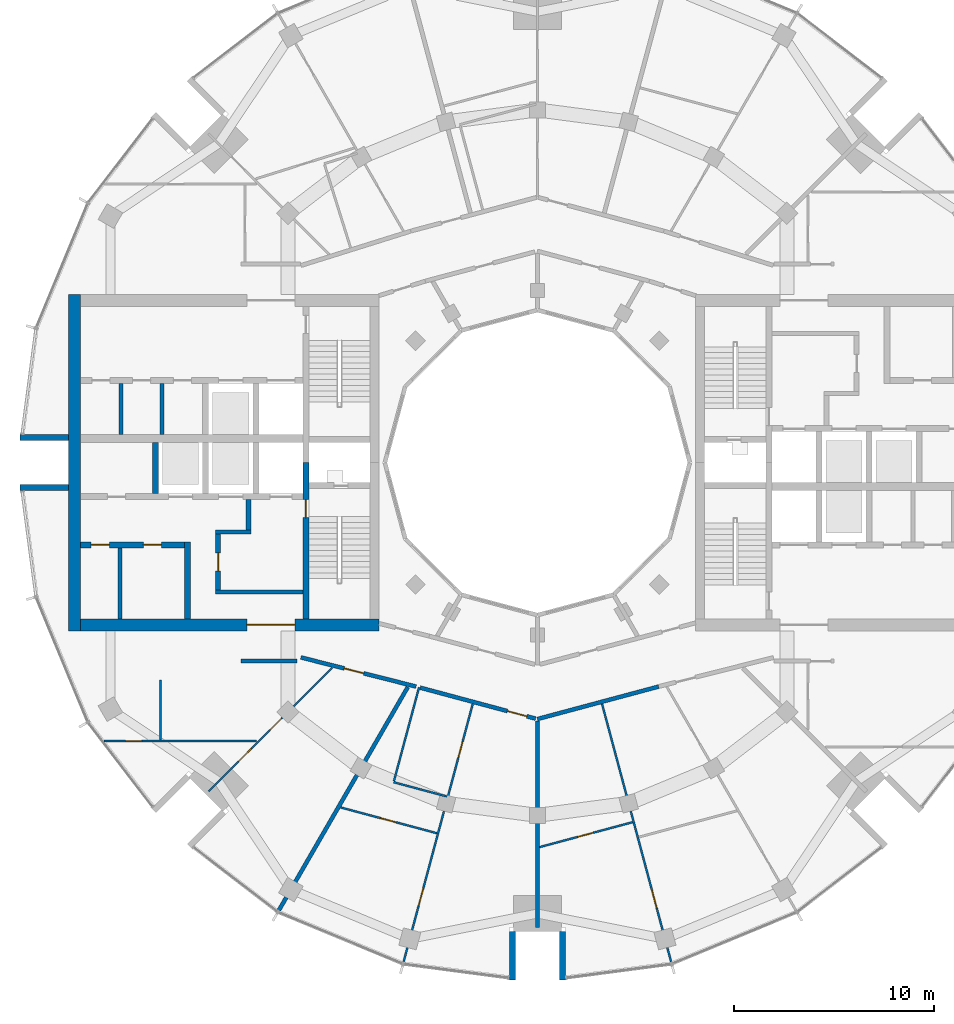
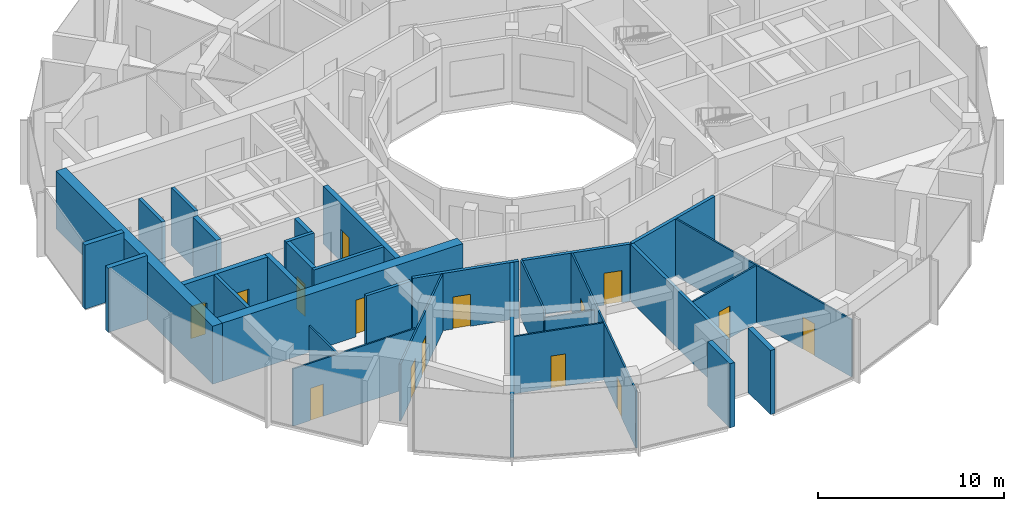
# One storey, part 8 of 15: 32 walls, 15 doors, 15 openings.
"""IFC4 building model written with IfcOpenShell, lengths in metres."""

from ifc_helpers import new_model, si_unit, direction, frame, frame_2d, origin, place, context, subcontext, project, spatial, rectangle, extrude, material, layer, layer_set, type_object, element, fill, save


model = new_model("IFC4")

# Units and contexts
model_context = context("Model", 3, precision=1e-05, world=origin(), true_north=direction((0.0, 1.0)))
body_context = subcontext(model_context, "Body", "Model", "MODEL_VIEW")
ifc_project = project(units=[si_unit("LENGTHUNIT", "METRE"), si_unit("AREAUNIT", "SQUARE_METRE"), si_unit("VOLUMEUNIT", "CUBIC_METRE"), si_unit("PLANEANGLEUNIT", "RADIAN"), si_unit("MASSUNIT", "GRAM", prefix="KILO")], contexts=[model_context])

# Site, building, storey
site_placement = place(None, origin())
site = spatial("IfcSite", under=ifc_project, at=site_placement, CompositionType="ELEMENT")
building_placement = place(site_placement, origin())
building = spatial("IfcBuilding", under=site, at=building_placement, Name="Torre Brocal", CompositionType="ELEMENT")
storey_placement = place(building_placement, frame((0.0, 0.0, 225.10009765625)))
storey = spatial("IfcBuildingStorey", under=building, at=storey_placement, Name="L52", CompositionType="ELEMENT", Elevation=225.10009765625)

# Walls
ifc_material_1 = material(Name="Masonry block", Category="masonry")
ifc_layer_1 = layer(ifc_material_1, 0.199951171875)
ifc_layer_set_1 = layer_set([ifc_layer_1], Name="Masonry block")
wall_type_1 = type_object("IfcWallType", Name="CORE PARTITION 200 UNDER 400 SLAB", PredefinedType="PARTITIONING", material=ifc_layer_set_1)
for number, where, z_axis, x_axis, name in (
    (1, (61.2666015625, 78.949951171875, 0.0), (0.0, 0.0, 1.0), (0.0, -1.0, 0.0), "Wall CP200-S400"),
    (2, (59.2333984375, 78.949951171875, 0.0), (0.0, 0.0, 1.0), (0.0, -1.0, 0.0), "Wall CP200-S400"),
):
    element("IfcWall", number, at=place(storey_placement, frame(where, z_axis=z_axis, x_axis=x_axis)), inside=storey, type_object=wall_type_1, Name=name, PredefinedType="PARTITIONING", context=body_context, shape_type="SweptSolid", body=[
        extrude(rectangle(XDim=2.550048828125, YDim=0.199951171875, at=frame_2d((1.27490234375, 0.0))), origin(), (0.0, 0.0, 1.0), 3.7998046875),
    ])
wall_1_placement = place(storey_placement, frame((59.176025390625, 70.75, 0.0), z_axis=(0.0, 0.0, 1.0), x_axis=(0.0, -1.0, 0.0)))
element("IfcWall", 3, at=wall_1_placement, inside=storey, type_object=wall_type_1, Name="Wall CP200-S400", PredefinedType="PARTITIONING", context=body_context, shape_type="SweptSolid", body=[
    extrude(rectangle(XDim=3.550048828125, YDim=0.199951171875, at=frame_2d((1.77490234375, 0.0))), origin(), (0.0, 0.0, 1.0), 3.7998046875),
])
ifc_material_2 = material(Name="Concrete C60", Category="concrete")
ifc_layer_2 = layer(ifc_material_2, 0.199951171875)
ifc_layer_set_2 = layer_set([ifc_layer_2], Name="Concrete C60")
wall_type_2 = type_object("IfcWallType", Name="CORE WALL 200 C60 UNDER 400 SLAB", PredefinedType="SHEAR", material=ifc_layer_set_2)
wall_2_placement = place(storey_placement, frame((68.300048828125, 68.550048828125, 0.0), z_axis=(0.0, 0.0, 1.0), x_axis=(-1.0, 0.0, 0.0)))
element("IfcWall", 4, at=wall_2_placement, inside=storey, type_object=wall_type_2, Name="Wall CW200-60-S400", PredefinedType="SHEAR", context=body_context, shape_type="SweptSolid", body=[
    extrude(rectangle(XDim=4.35009765625, YDim=0.199951171875, at=frame_2d((2.175048828125, 0.0))), origin(), (0.0, 0.0, 1.0), 3.7998046875),
])
wall_3_placement = place(storey_placement, frame((65.699951171875, 71.550048828125, 0.0), z_axis=(0.0, 0.0, 1.0), x_axis=(-1.0, 0.0, 0.0)))
element("IfcWall", 5, at=wall_3_placement, inside=storey, type_object=wall_type_2, Name="Wall CW200-60-S400", PredefinedType="SHEAR", context=body_context, shape_type="SweptSolid", body=[
    extrude(rectangle(XDim=1.75, YDim=0.199951171875, at=frame_2d((0.875, 0.0))), origin(), (0.0, 0.0, 1.0), 3.7998046875),
])

# Wall, opening, door
ifc_material_3 = material(Name="Concrete C60", Category="concrete")
ifc_layer_3 = layer(ifc_material_3, 0.25)
ifc_layer_set_3 = layer_set([ifc_layer_3], Name="Concrete C60")
wall_type_3 = type_object("IfcWallType", Name="CORE WALL 250 C60 UNDER 400 SLAB", PredefinedType="SHEAR", material=ifc_layer_set_3)
wall_4_placement = place(storey_placement, frame((64.074951171875, 71.449951171875, 0.0), z_axis=(0.0, 0.0, 1.0), x_axis=(0.0, -1.0, 0.0)))
wall_4 = element("IfcWall", 6, at=wall_4_placement, inside=storey, type_object=wall_type_3, Name="Wall CW250-60-S400", PredefinedType="SHEAR", context=body_context, shape_type="SweptSolid", body=[
    extrude(rectangle(XDim=2.800048828125, YDim=0.25, at=frame_2d((1.39990234375, 0.0))), origin(), (0.0, 0.0, 1.0), 3.7998046875),
])
opening_1_placement = place(wall_4_placement, frame((0.949951171875, 0.0, 0.0)))
opening_1 = element("IfcOpeningElement", 7, at=opening_1_placement, cuts=wall_4, Name="Opening W-D08", PredefinedType="OPENING", context=body_context, shape_type="SweptSolid", body=[
    extrude(rectangle(XDim=0.89990234375, YDim=2.10009765625, at=frame_2d((0.449951171875, 1.050048828125))), frame((0.0, 0.135009765625, 0.0), z_axis=(0.0, -1.0, 0.0), x_axis=(1.0, 0.0, 0.0)), (0.0, 0.0, 1.0), 0.27001953125),
])
ifc_material_4 = material(Name="Steel A653", Category="steel")
door_type_1 = type_object("IfcDoorType", Name="LOBBY DOOR FD120 900X2100", OperationType="SINGLE_SWING_RIGHT", PredefinedType="DOOR", material=ifc_material_4)
door_1_placement = place(opening_1_placement, origin())
door_1 = element("IfcDoor", 8, at=door_1_placement, inside=storey, type_object=door_type_1, Name="Door W-D08", OperationType="SINGLE_SWING_LEFT", OverallHeight=2.10009765625, OverallWidth=0.89990234375, PredefinedType="DOOR", context=body_context, shape_type="SweptSolid", body=[
    extrude(rectangle(XDim=0.89990234375, YDim=2.10009765625, at=frame_2d((0.449951171875, 1.050048828125))), frame((0.0, 0.02490234375, 0.0), z_axis=(0.0, -1.0, 0.0), x_axis=(1.0, 0.0, 0.0)), (0.0, 0.0, 1.0), 0.050048828125),
])
fill(opening_1, door_1)

# Wall
wall_5_placement = place(storey_placement, frame((65.574951171875, 73.14990234375, 0.0), z_axis=(0.0, 0.0, 1.0), x_axis=(0.0, -1.0, 0.0)))
element("IfcWall", 9, at=wall_5_placement, inside=storey, type_object=wall_type_3, Name="Wall CW250-60-S400", PredefinedType="SHEAR", context=body_context, shape_type="SweptSolid", body=[
    extrude(rectangle(XDim=1.5, YDim=0.25, at=frame_2d((0.75, 0.0))), origin(), (0.0, 0.0, 1.0), 3.7998046875),
])

# Wall, opening, door
ifc_material_5 = material(Name="Concrete C60", Category="concrete")
ifc_layer_4 = layer(ifc_material_5, 0.300048828125)
ifc_layer_set_4 = layer_set([ifc_layer_4], Name="Concrete C60")
wall_type_4 = type_object("IfcWallType", Name="CORE WALL 300 C60 UNDER 400 SLAB", PredefinedType="SHEAR", material=ifc_layer_set_4)
wall_6_placement = place(storey_placement, frame((68.449951171875, 75.0, 0.0), z_axis=(0.0, 0.0, 1.0), x_axis=(0.0, -1.0, 0.0)))
wall_6 = element("IfcWall", 10, at=wall_6_placement, inside=storey, type_object=wall_type_4, Name="Wall CW300-60-S400", PredefinedType="SHEAR", context=body_context, shape_type="SweptSolid", body=[
    extrude(rectangle(XDim=7.800048828125, YDim=0.300048828125, at=frame_2d((3.89990234375, 0.0))), origin(), (0.0, 0.0, 1.0), 3.7998046875),
])
opening_2_placement = place(wall_6_placement, frame((1.85009765625, 0.0, 0.0)))
opening_2 = element("IfcOpeningElement", 11, at=opening_2_placement, cuts=wall_6, Name="Opening W-D02", PredefinedType="OPENING", context=body_context, shape_type="SweptSolid", body=[
    extrude(rectangle(XDim=0.89990234375, YDim=2.10009765625, at=frame_2d((0.449951171875, 1.050048828125))), frame((0.0, 0.159912109375, 0.0), z_axis=(0.0, -1.0, 0.0), x_axis=(1.0, 0.0, 0.0)), (0.0, 0.0, 1.0), 0.320068359375),
])
ifc_material_6 = material(Name="Steel A653", Category="steel")
door_type_2 = type_object("IfcDoorType", Name="STAIR DOOR FD120 900X2100", OperationType="SINGLE_SWING_RIGHT", PredefinedType="DOOR", material=ifc_material_6)
door_2_placement = place(opening_2_placement, origin())
door_2 = element("IfcDoor", 12, at=door_2_placement, inside=storey, type_object=door_type_2, Name="Door W-D02", OperationType="SINGLE_SWING_LEFT", OverallHeight=2.10009765625, OverallWidth=0.89990234375, PredefinedType="DOOR", context=body_context, shape_type="SweptSolid", body=[
    extrude(rectangle(XDim=0.89990234375, YDim=2.10009765625, at=frame_2d((0.449951171875, 1.050048828125))), frame((0.0, 0.02490234375, 0.0), z_axis=(0.0, -1.0, 0.0), x_axis=(1.0, 0.0, 0.0)), (0.0, 0.0, 1.0), 0.050048828125),
])
fill(opening_2, door_2)

# Walls
wall_7_placement = place(storey_placement, frame((60.949951171875, 76.0, 0.0), z_axis=(0.0, 0.0, 1.0), x_axis=(0.0, -1.0, 0.0)))
element("IfcWall", 13, at=wall_7_placement, inside=storey, type_object=wall_type_4, Name="Wall CW300-60-S400", PredefinedType="SHEAR", context=body_context, shape_type="SweptSolid", body=[
    extrude(rectangle(XDim=2.550048828125, YDim=0.300048828125, at=frame_2d((1.27490234375, 0.0))), origin(), (0.0, 0.0, 1.0), 3.7998046875),
])
wall_8_placement = place(storey_placement, frame((62.550048828125, 71.050048828125, 0.0), z_axis=(0.0, 0.0, 1.0), x_axis=(0.0, -1.0, 0.0)))
element("IfcWall", 14, at=wall_8_placement, inside=storey, type_object=wall_type_4, Name="Wall CW300-60-S400", PredefinedType="SHEAR", context=body_context, shape_type="SweptSolid", body=[
    extrude(rectangle(XDim=3.85009765625, YDim=0.300048828125, at=frame_2d((1.925048828125, 0.0))), origin(), (0.0, 0.0, 1.0), 3.7998046875),
])

# Wall, openings, doors
wall_9_placement = place(storey_placement, frame((62.39990234375, 70.89990234375, 0.0), z_axis=(0.0, 0.0, 1.0), x_axis=(-1.0, 0.0, 0.0)))
wall_9 = element("IfcWall", 15, at=wall_9_placement, inside=storey, type_object=wall_type_4, Name="Wall CW300-60-S400", PredefinedType="SHEAR", context=body_context, shape_type="SweptSolid", body=[
    extrude(rectangle(XDim=5.199951171875, YDim=0.300048828125, at=frame_2d((2.60009765625, 0.0))), origin(), (0.0, 0.0, 1.0), 3.7998046875),
])
opening_3_placement = place(wall_9_placement, frame((1.162109375, 0.0, 0.0)))
opening_3 = element("IfcOpeningElement", 16, at=opening_3_placement, cuts=wall_9, Name="Opening W-D09", PredefinedType="OPENING", context=body_context, shape_type="SweptSolid", body=[
    extrude(rectangle(XDim=0.89990234375, YDim=2.10009765625, at=frame_2d((0.449951171875, 1.050048828125))), frame((0.0, 0.159912109375, 0.0), z_axis=(0.0, -1.0, 0.0), x_axis=(1.0, 0.0, 0.0)), (0.0, 0.0, 1.0), 0.320068359375),
])
opening_4_placement = place(wall_9_placement, frame((3.761962890625, 0.0, 0.0)))
opening_4 = element("IfcOpeningElement", 17, at=opening_4_placement, cuts=wall_9, Name="Opening W-D10", PredefinedType="OPENING", context=body_context, shape_type="SweptSolid", body=[
    extrude(rectangle(XDim=0.89990234375, YDim=2.10009765625, at=frame_2d((0.449951171875, 1.050048828125))), frame((0.0, 0.159912109375, 0.0), z_axis=(0.0, -1.0, 0.0), x_axis=(1.0, 0.0, 0.0)), (0.0, 0.0, 1.0), 0.320068359375),
])
ifc_material_7 = material(Name="Steel A653", Category="steel")
door_type_3 = type_object("IfcDoorType", Name="ROOM DOOR FD30S 900X2100", OperationType="SINGLE_SWING_LEFT", PredefinedType="DOOR", material=ifc_material_7)
door_3_placement = place(opening_3_placement, origin())
door_3 = element("IfcDoor", 18, at=door_3_placement, inside=storey, type_object=door_type_3, Name="Door W-D09", OperationType="SINGLE_SWING_RIGHT", OverallHeight=2.10009765625, OverallWidth=0.89990234375, PredefinedType="DOOR", context=body_context, shape_type="SweptSolid", body=[
    extrude(rectangle(XDim=0.89990234375, YDim=2.10009765625, at=frame_2d((0.449951171875, 1.050048828125))), frame((0.0, 0.02490234375, 0.0), z_axis=(0.0, -1.0, 0.0), x_axis=(1.0, 0.0, 0.0)), (0.0, 0.0, 1.0), 0.050048828125),
])
fill(opening_3, door_3)
door_4_placement = place(opening_4_placement, origin())
door_4 = element("IfcDoor", 19, at=door_4_placement, inside=storey, type_object=door_type_3, Name="Door W-D10", OperationType="SINGLE_SWING_LEFT", OverallHeight=2.10009765625, OverallWidth=0.89990234375, PredefinedType="DOOR", context=body_context, shape_type="SweptSolid", body=[
    extrude(rectangle(XDim=0.89990234375, YDim=2.10009765625, at=frame_2d((0.449951171875, 1.050048828125))), frame((0.0, 0.02490234375, 0.0), z_axis=(0.0, -1.0, 0.0), x_axis=(1.0, 0.0, 0.0)), (0.0, 0.0, 1.0), 0.050048828125),
])
fill(opening_4, door_4)

# Wall, opening, door
ifc_material_8 = material(Name="Concrete C60", Category="concrete")
ifc_layer_5 = layer(ifc_material_8, 0.60009765625)
ifc_layer_set_5 = layer_set([ifc_layer_5], Name="Concrete C60")
wall_type_5 = type_object("IfcWallType", Name="CORE WALL 600 C60 UNDER 400 SLAB", PredefinedType="SHEAR", material=ifc_layer_set_5)
wall_10_placement = place(storey_placement, frame((72.10009765625, 66.89990234375, 0.0), z_axis=(0.0, 0.0, 1.0), x_axis=(-1.0, 0.0, 0.0)))
wall_10 = element("IfcWall", 20, at=wall_10_placement, inside=storey, type_object=wall_type_5, Name="Wall CW600-60-S400", PredefinedType="SHEAR", context=body_context, shape_type="SweptSolid", body=[
    extrude(rectangle(XDim=14.900146484375, YDim=0.60009765625, at=frame_2d((7.4501953125, 0.0))), origin(), (0.0, 0.0, 1.0), 3.7998046875),
])
opening_5_placement = place(wall_10_placement, frame((4.199951171875, 0.0, 0.0)))
opening_5 = element("IfcOpeningElement", 21, at=opening_5_placement, cuts=wall_10, Name="Opening W-D34", PredefinedType="OPENING", context=body_context, shape_type="SweptSolid", body=[
    extrude(rectangle(XDim=2.39990234375, YDim=2.39990234375, at=frame_2d((1.199951171875, 1.199951171875))), frame((0.0, 0.31005859375, 0.0), z_axis=(0.0, -1.0, 0.0), x_axis=(1.0, 0.0, 0.0)), (0.0, 0.0, 1.0), 0.6201171875),
])
ifc_material_9 = material(Name="Steel A653", Category="steel")
door_type_4 = type_object("IfcDoorType", Name="DOUBLE FIRE DOOR FD90 2400X2400", OperationType="DOUBLE_DOOR_SINGLE_SWING", PredefinedType="DOOR", material=ifc_material_9)
door_5_placement = place(opening_5_placement, frame((2.39990234375, 0.0, 0.0), z_axis=(0.0, 0.0, 1.0), x_axis=(-1.0, 0.0, 0.0)))
door_5 = element("IfcDoor", 22, at=door_5_placement, inside=storey, type_object=door_type_4, Name="Door W-D34", OperationType="DOUBLE_DOOR_SINGLE_SWING", OverallHeight=2.39990234375, OverallWidth=2.39990234375, PredefinedType="DOOR", context=body_context, shape_type="SweptSolid", body=[
    extrude(rectangle(XDim=2.39990234375, YDim=2.39990234375, at=frame_2d((1.199951171875, 1.199951171875))), frame((0.0, 0.02490234375, 0.0), z_axis=(0.0, -1.0, 0.0), x_axis=(1.0, 0.0, 0.0)), (0.0, 0.0, 1.0), 0.050048828125),
])
fill(opening_5, door_5)

# Walls
wall_11_placement = place(storey_placement, frame((56.89990234375, 83.39990234375, 0.0), z_axis=(0.0, 0.0, 1.0), x_axis=(0.0, -1.0, 0.0)))
element("IfcWall", 23, at=wall_11_placement, inside=storey, type_object=wall_type_5, Name="Wall CW600-60-S400", PredefinedType="SHEAR", context=body_context, shape_type="SweptSolid", body=[
    extrude(rectangle(XDim=16.7998046875, YDim=0.60009765625, at=frame_2d((8.39990234375, 0.0))), origin(), (0.0, 0.0, 1.0), 3.7998046875),
])
ifc_material_10 = material(Name="Concrete C60", Category="concrete")
ifc_layer_6 = layer(ifc_material_10, 0.300048828125)
ifc_layer_set_6 = layer_set([ifc_layer_6], Name="Concrete C60")
wall_type_6 = type_object("IfcWallType", Name="NOTCH RETURN WALL 300 C60", PredefinedType="NOTDEFINED", material=ifc_layer_set_6)
for number, where, z_axis, x_axis, name in (
    (24, (56.60009765625, 76.25, 0.0), (0.0, 0.0, 1.0), (-1.0, 0.0, 0.0), "NOTCH RETURN WALL"),
    (25, (56.60009765625, 73.75, 0.0), (0.0, 0.0, 1.0), (-1.0, 0.0, 0.0), "NOTCH RETURN WALL"),
    (26, (78.75, 51.60009765625, 0.0), (0.0, 0.0, 1.0), (0.0, -1.0, 0.0), "NOTCH RETURN WALL"),
    (27, (81.25, 51.60009765625, 0.0), (0.0, 0.0, 1.0), (0.0, -1.0, 0.0), "NOTCH RETURN WALL"),
):
    element("IfcWall", number, at=place(storey_placement, frame(where, z_axis=z_axis, x_axis=x_axis)), inside=storey, type_object=wall_type_6, Name=name, PredefinedType="NOTDEFINED", context=body_context, shape_type="SweptSolid", body=[
        extrude(rectangle(XDim=2.415771484375, YDim=0.300048828125, at=frame_2d((1.2080078125, 0.0))), origin(), (0.0, 0.0, 1.0), 4.199951171875),
    ])

# Wall, opening, door
ifc_material_11 = material(Name="Gypsum board", Category="Gypsum")
ifc_layer_7 = layer(ifc_material_11, 0.10009765625)
ifc_layer_set_7 = layer_set([ifc_layer_7], Name="Gypsum board")
wall_type_7 = type_object("IfcWallType", Name="PARTITION 100", PredefinedType="PARTITIONING", material=ifc_layer_set_7)
wall_12_placement = place(storey_placement, frame((58.37890625, 61.10009765625, 0.0), z_axis=(0.0, 0.0, 1.0), x_axis=(1.0, 0.0, 0.0)))
wall_12 = element("IfcWall", 28, at=wall_12_placement, inside=storey, type_object=wall_type_7, Name="BATHROOM WALL", PredefinedType="PARTITIONING", context=body_context, shape_type="SweptSolid", body=[
    extrude(rectangle(XDim=7.611083984375, YDim=0.10009765625, at=frame_2d((3.8056640625, 0.0))), origin(), (0.0, 0.0, 1.0), 3.75),
])
opening_6_placement = place(wall_12_placement, frame((1.075439453125, 0.0, 0.0)))
opening_6 = element("IfcOpeningElement", 29, at=opening_6_placement, cuts=wall_12, Name="Opening B02-D36", PredefinedType="OPENING", context=body_context, shape_type="SweptSolid", body=[
    extrude(rectangle(XDim=0.800048828125, YDim=2.10009765625, at=frame_2d((0.39990234375, 1.050048828125))), frame((0.0, 0.06005859375, 0.0), z_axis=(0.0, -1.0, 0.0), x_axis=(1.0, 0.0, 0.0)), (0.0, 0.0, 1.0), 0.1201171875),
])
ifc_material_12 = material(Name="Timber", Category="wood")
door_type_5 = type_object("IfcDoorType", Name="BATHROOM DOOR 800X2100", OperationType="SINGLE_SWING_LEFT", PredefinedType="DOOR", material=ifc_material_12)
door_6_placement = place(opening_6_placement, origin())
door_6 = element("IfcDoor", 30, at=door_6_placement, inside=storey, type_object=door_type_5, Name="B02-D36", OperationType="SINGLE_SWING_RIGHT", OverallHeight=2.10009765625, OverallWidth=0.800048828125, PredefinedType="DOOR", context=body_context, shape_type="SweptSolid", body=[
    extrude(rectangle(XDim=0.800048828125, YDim=2.10009765625, at=frame_2d((0.39990234375, 1.050048828125))), frame((0.0, 0.02490234375, 0.0), z_axis=(0.0, -1.0, 0.0), x_axis=(1.0, 0.0, 0.0)), (0.0, 0.0, 1.0), 0.050048828125),
])
fill(opening_6, door_6)

# Wall
wall_13_placement = place(storey_placement, frame((61.199951171875, 61.14990234375, 0.0), z_axis=(0.0, 0.0, 1.0), x_axis=(0.0, 1.0, 0.0)))
element("IfcWall", 31, at=wall_13_placement, inside=storey, type_object=wall_type_7, Name="BATHROOM WALL", PredefinedType="PARTITIONING", context=body_context, shape_type="SweptSolid", body=[
    extrude(rectangle(XDim=2.9951171875, YDim=0.10009765625, at=frame_2d((1.49755859375, 0.0))), origin(), (0.0, 0.0, 1.0), 3.75),
])

# Wall, openings, doors
wall_14_placement = place(storey_placement, frame((63.595703125, 58.595703125, 0.0), z_axis=(0.0, 0.0, 1.0), x_axis=(0.707106781187, 0.707106781187, 0.0)))
wall_14 = element("IfcWall", 32, at=wall_14_placement, inside=storey, type_object=wall_type_7, Name="BATHROOM WALL", PredefinedType="PARTITIONING", context=body_context, shape_type="SweptSolid", body=[
    extrude(rectangle(XDim=8.718994140625, YDim=0.10009765625, at=frame_2d((4.359375, 0.0))), origin(), (0.0, 0.0, 1.0), 3.75),
])
opening_7_placement = place(wall_14_placement, frame((2.11083984375, 0.0, 0.0)))
opening_7 = element("IfcOpeningElement", 33, at=opening_7_placement, cuts=wall_14, Name="Opening B02-D35", PredefinedType="OPENING", context=body_context, shape_type="SweptSolid", body=[
    extrude(rectangle(XDim=0.89990234375, YDim=2.10009765625, at=frame_2d((0.449951171875, 1.050048828125))), frame((0.0, 0.06005859375, 0.0), z_axis=(0.0, -1.0, 0.0), x_axis=(1.0, 0.0, 0.0)), (0.0, 0.0, 1.0), 0.1201171875),
])
opening_8_placement = place(wall_14_placement, frame((4.335205078125, 0.0, 0.0)))
opening_8 = element("IfcOpeningElement", 34, at=opening_8_placement, cuts=wall_14, Name="Opening B02-D37", PredefinedType="OPENING", context=body_context, shape_type="SweptSolid", body=[
    extrude(rectangle(XDim=0.800048828125, YDim=2.10009765625, at=frame_2d((0.39990234375, 1.050048828125))), frame((0.0, 0.06005859375, 0.0), z_axis=(0.0, -1.0, 0.0), x_axis=(1.0, 0.0, 0.0)), (0.0, 0.0, 1.0), 0.1201171875),
])
door_7_placement = place(opening_8_placement, origin())
door_7 = element("IfcDoor", 35, at=door_7_placement, inside=storey, type_object=door_type_5, Name="B02-D37", OperationType="SINGLE_SWING_LEFT", OverallHeight=2.10009765625, OverallWidth=0.800048828125, PredefinedType="DOOR", context=body_context, shape_type="SweptSolid", body=[
    extrude(rectangle(XDim=0.800048828125, YDim=2.10009765625, at=frame_2d((0.39990234375, 1.050048828125))), frame((0.0, 0.02490234375, 0.0), z_axis=(0.0, -1.0, 0.0), x_axis=(1.0, 0.0, 0.0)), (0.0, 0.0, 1.0), 0.050048828125),
])
fill(opening_8, door_7)
ifc_material_13 = material(Name="Timber", Category="wood")
door_type_6 = type_object("IfcDoorType", Name="ROOM DOOR 900X2100", OperationType="SINGLE_SWING_LEFT", PredefinedType="DOOR", material=ifc_material_13)
door_8_placement = place(opening_7_placement, origin())
door_8 = element("IfcDoor", 36, at=door_8_placement, inside=storey, type_object=door_type_6, Name="B02-D35", OperationType="SINGLE_SWING_LEFT", OverallHeight=2.10009765625, OverallWidth=0.89990234375, PredefinedType="DOOR", context=body_context, shape_type="SweptSolid", body=[
    extrude(rectangle(XDim=0.89990234375, YDim=2.10009765625, at=frame_2d((0.449951171875, 1.050048828125))), frame((0.0, 0.02490234375, 0.0), z_axis=(0.0, -1.0, 0.0), x_axis=(1.0, 0.0, 0.0)), (0.0, 0.0, 1.0), 0.050048828125),
])
fill(opening_7, door_8)

# Wall, opening, door
wall_15_placement = place(storey_placement, frame((70.188232421875, 57.79345703125, 0.0), z_axis=(0.0, 0.0, 1.0), x_axis=(0.965913212633, -0.258866115322, 0.0)))
wall_15 = element("IfcWall", 37, at=wall_15_placement, inside=storey, type_object=wall_type_7, Name="BATHROOM WALL", PredefinedType="PARTITIONING", context=body_context, shape_type="SweptSolid", body=[
    extrude(rectangle(XDim=4.973876953125, YDim=0.10009765625, at=frame_2d((2.48681640625, 0.0))), origin(), (0.0, 0.0, 1.0), 3.75),
])
opening_9_placement = place(wall_15_placement, frame((2.056884765625, 0.0, 0.0)))
opening_9 = element("IfcOpeningElement", 38, at=opening_9_placement, cuts=wall_15, Name="Opening B02-D32", PredefinedType="OPENING", context=body_context, shape_type="SweptSolid", body=[
    extrude(rectangle(XDim=0.800048828125, YDim=2.10009765625, at=frame_2d((0.39990234375, 1.050048828125))), frame((0.0, 0.06005859375, 0.0), z_axis=(0.0, -1.0, 0.0), x_axis=(1.0, 0.0, 0.0)), (0.0, 0.0, 1.0), 0.1201171875),
])
door_9_placement = place(opening_9_placement, origin())
door_9 = element("IfcDoor", 39, at=door_9_placement, inside=storey, type_object=door_type_5, Name="B02-D32", OperationType="SINGLE_SWING_LEFT", OverallHeight=2.10009765625, OverallWidth=0.800048828125, PredefinedType="DOOR", context=body_context, shape_type="SweptSolid", body=[
    extrude(rectangle(XDim=0.800048828125, YDim=2.10009765625, at=frame_2d((0.39990234375, 1.050048828125))), frame((0.0, 0.02490234375, 0.0), z_axis=(0.0, -1.0, 0.0), x_axis=(1.0, 0.0, 0.0)), (0.0, 0.0, 1.0), 0.050048828125),
])
fill(opening_9, door_9)

# Wall
wall_16_placement = place(storey_placement, frame((72.8408203125, 59.101318359375, 0.0), z_axis=(0.0, 0.0, 1.0), x_axis=(0.258799830155, 0.965930974714, 0.0)))
element("IfcWall", 40, at=wall_16_placement, inside=storey, type_object=wall_type_7, Name="BATHROOM WALL", PredefinedType="PARTITIONING", context=body_context, shape_type="SweptSolid", body=[
    extrude(rectangle(XDim=4.849853515625, YDim=0.10009765625, at=frame_2d((2.4248046875, 0.0))), origin(), (0.0, 0.0, 1.0), 3.75),
])

# Wall, openings, doors
wall_17_placement = place(storey_placement, frame((73.322509765625, 50.080810546875, 0.0), z_axis=(0.0, 0.0, 1.0), x_axis=(0.258961147073, 0.965887738977, 0.0)))
wall_17 = element("IfcWall", 41, at=wall_17_placement, inside=storey, type_object=wall_type_7, Name="BATHROOM WALL", PredefinedType="PARTITIONING", context=body_context, shape_type="SweptSolid", body=[
    extrude(rectangle(XDim=13.33837890625, YDim=0.10009765625, at=frame_2d((6.669189453125, 0.0))), origin(), (0.0, 0.0, 1.0), 3.75),
])
opening_10_placement = place(wall_17_placement, frame((2.904296875, 0.0, 0.0)))
opening_10 = element("IfcOpeningElement", 42, at=opening_10_placement, cuts=wall_17, Name="Opening B02-D31", PredefinedType="OPENING", context=body_context, shape_type="SweptSolid", body=[
    extrude(rectangle(XDim=0.89990234375, YDim=2.10009765625, at=frame_2d((0.449951171875, 1.050048828125))), frame((0.0, 0.06005859375, 0.0), z_axis=(0.0, -1.0, 0.0), x_axis=(1.0, 0.0, 0.0)), (0.0, 0.0, 1.0), 0.1201171875),
])
opening_11_placement = place(wall_17_placement, frame((10.578369140625, 0.0, 0.0)))
opening_11 = element("IfcOpeningElement", 43, at=opening_11_placement, cuts=wall_17, Name="Opening B02-D33", PredefinedType="OPENING", context=body_context, shape_type="SweptSolid", body=[
    extrude(rectangle(XDim=0.800048828125, YDim=2.10009765625, at=frame_2d((0.39990234375, 1.050048828125))), frame((0.0, 0.06005859375, 0.0), z_axis=(0.0, -1.0, 0.0), x_axis=(1.0, 0.0, 0.0)), (0.0, 0.0, 1.0), 0.1201171875),
])
door_10_placement = place(opening_11_placement, origin())
door_10 = element("IfcDoor", 44, at=door_10_placement, inside=storey, type_object=door_type_5, Name="B02-D33", OperationType="SINGLE_SWING_LEFT", OverallHeight=2.10009765625, OverallWidth=0.800048828125, PredefinedType="DOOR", context=body_context, shape_type="SweptSolid", body=[
    extrude(rectangle(XDim=0.800048828125, YDim=2.10009765625, at=frame_2d((0.39990234375, 1.050048828125))), frame((0.0, 0.02490234375, 0.0), z_axis=(0.0, -1.0, 0.0), x_axis=(1.0, 0.0, 0.0)), (0.0, 0.0, 1.0), 0.050048828125),
])
fill(opening_11, door_10)
door_11_placement = place(opening_10_placement, frame((0.89990234375, 0.0, 0.0), z_axis=(0.0, 0.0, 1.0), x_axis=(-1.0, 0.0, 0.0)))
door_11 = element("IfcDoor", 45, at=door_11_placement, inside=storey, type_object=door_type_6, Name="B02-D31", OperationType="SINGLE_SWING_RIGHT", OverallHeight=2.10009765625, OverallWidth=0.89990234375, PredefinedType="DOOR", context=body_context, shape_type="SweptSolid", body=[
    extrude(rectangle(XDim=0.89990234375, YDim=2.10009765625, at=frame_2d((0.449951171875, 1.050048828125))), frame((0.0, 0.02490234375, 0.0), z_axis=(0.0, -1.0, 0.0), x_axis=(1.0, 0.0, 0.0)), (0.0, 0.0, 1.0), 0.050048828125),
])
fill(opening_10, door_11)

# Wall, opening, door
wall_18_placement = place(storey_placement, frame((80.106201171875, 55.8134765625, 0.0), z_axis=(0.0, 0.0, 1.0), x_axis=(0.965936279421, 0.25878003033, 0.0)))
wall_18 = element("IfcWall", 46, at=wall_18_placement, inside=storey, type_object=wall_type_7, Name="BATHROOM WALL", PredefinedType="PARTITIONING", context=body_context, shape_type="SweptSolid", body=[
    extrude(rectangle(XDim=4.8134765625, YDim=0.10009765625, at=frame_2d((2.40673828125, 0.0))), origin(), (0.0, 0.0, 1.0), 3.75),
])
opening_12_placement = place(wall_18_placement, frame((1.976806640625, 0.0, 0.0)))
opening_12 = element("IfcOpeningElement", 47, at=opening_12_placement, cuts=wall_18, Name="Opening B02-D29", PredefinedType="OPENING", context=body_context, shape_type="SweptSolid", body=[
    extrude(rectangle(XDim=0.800048828125, YDim=2.10009765625, at=frame_2d((0.39990234375, 1.050048828125))), frame((0.0, 0.06005859375, 0.0), z_axis=(0.0, -1.0, 0.0), x_axis=(1.0, 0.0, 0.0)), (0.0, 0.0, 1.0), 0.1201171875),
])
door_12_placement = place(opening_12_placement, origin())
door_12 = element("IfcDoor", 48, at=door_12_placement, inside=storey, type_object=door_type_5, Name="B02-D29", OperationType="SINGLE_SWING_LEFT", OverallHeight=2.10009765625, OverallWidth=0.800048828125, PredefinedType="DOOR", context=body_context, shape_type="SweptSolid", body=[
    extrude(rectangle(XDim=0.800048828125, YDim=2.10009765625, at=frame_2d((0.39990234375, 1.050048828125))), frame((0.0, 0.02490234375, 0.0), z_axis=(0.0, -1.0, 0.0), x_axis=(1.0, 0.0, 0.0)), (0.0, 0.0, 1.0), 0.050048828125),
])
fill(opening_12, door_12)

wall_19_placement = place(storey_placement, frame((83.225341796875, 62.964599609375, 0.0), z_axis=(0.0, 0.0, 1.0), x_axis=(0.258742489642, -0.965946336012, 0.0)))
wall_19 = element("IfcWall", 49, at=wall_19_placement, inside=storey, type_object=wall_type_7, Name="BATHROOM WALL", PredefinedType="PARTITIONING", context=body_context, shape_type="SweptSolid", body=[
    extrude(rectangle(XDim=13.338134765625, YDim=0.10009765625, at=frame_2d((6.6689453125, 0.0))), origin(), (0.0, 0.0, 1.0), 3.75),
])
opening_13_placement = place(wall_19_placement, frame((9.643798828125, 0.0, 0.0)))
opening_13 = element("IfcOpeningElement", 50, at=opening_13_placement, cuts=wall_19, Name="Opening B02-D28", PredefinedType="OPENING", context=body_context, shape_type="SweptSolid", body=[
    extrude(rectangle(XDim=0.89990234375, YDim=2.10009765625, at=frame_2d((0.449951171875, 1.050048828125))), frame((0.0, 0.06005859375, 0.0), z_axis=(0.0, -1.0, 0.0), x_axis=(1.0, 0.0, 0.0)), (0.0, 0.0, 1.0), 0.1201171875),
])
door_13_placement = place(opening_13_placement, origin())
door_13 = element("IfcDoor", 51, at=door_13_placement, inside=storey, type_object=door_type_6, Name="B02-D28", OperationType="SINGLE_SWING_RIGHT", OverallHeight=2.10009765625, OverallWidth=0.89990234375, PredefinedType="DOOR", context=body_context, shape_type="SweptSolid", body=[
    extrude(rectangle(XDim=0.89990234375, YDim=2.10009765625, at=frame_2d((0.449951171875, 1.050048828125))), frame((0.0, 0.02490234375, 0.0), z_axis=(0.0, -1.0, 0.0), x_axis=(1.0, 0.0, 0.0)), (0.0, 0.0, 1.0), 0.050048828125),
])
fill(opening_13, door_13)

# Walls
ifc_material_14 = material(Name="Gypsum board", Category="Gypsum")
ifc_layer_8 = layer(ifc_material_14, 0.10009765625)
ifc_layer_set_8 = layer_set([ifc_layer_8], Name="Gypsum board")
wall_type_8 = type_object("IfcWallType", Name="PARTITION 100 UNDER BEAM 900", PredefinedType="PARTITIONING", material=ifc_layer_set_8)
wall_20_placement = place(storey_placement, frame((72.827880859375, 59.052978515625, 0.0), z_axis=(0.0, 0.0, 1.0), x_axis=(0.965899705866, -0.25891650818, 0.0)))
element("IfcWall", 52, at=wall_20_placement, inside=storey, type_object=wall_type_8, Name="BATHROOM WALL", PredefinedType="PARTITIONING", context=body_context, shape_type="SweptSolid", body=[
    extrude(rectangle(XDim=2.75048828125, YDim=0.10009765625, at=frame_2d((1.375244140625, 0.0))), origin(), (0.0, 0.0, 1.0), 3.2998046875),
])
ifc_material_15 = material(Name="Gypsum board", Category="Gypsum")
ifc_layer_9 = layer(ifc_material_15, 0.199951171875)
ifc_layer_set_9 = layer_set([ifc_layer_9], Name="Gypsum board")
wall_type_9 = type_object("IfcWallType", Name="PARTITION 200 EI60", PredefinedType="PARTITIONING", material=ifc_layer_set_9)
wall_21_placement = place(storey_placement, frame((65.199951171875, 65.10009765625, 0.0), z_axis=(0.0, 0.0, 1.0), x_axis=(1.0, 0.0, 0.0)))
element("IfcWall", 53, at=wall_21_placement, inside=storey, type_object=wall_type_9, Name="CORRIDOR WALL", PredefinedType="PARTITIONING", context=body_context, shape_type="SweptSolid", body=[
    extrude(rectangle(XDim=2.800048828125, YDim=0.199951171875, at=frame_2d((1.39990234375, 0.0))), origin(), (0.0, 0.0, 1.0), 3.75),
])
wall_22_placement = place(storey_placement, frame((67.099609375, 52.659423828125, 0.0), z_axis=(0.0, 0.0, 1.0), x_axis=(0.500128690501, 0.865951091539, 0.0)))
element("IfcWall", 54, at=wall_22_placement, inside=storey, type_object=wall_type_9, Name="BATHROOM WALL", PredefinedType="PARTITIONING", context=body_context, shape_type="SweptSolid", body=[
    extrude(rectangle(XDim=12.8662109375, YDim=0.199951171875, at=frame_2d((6.43310546875, 0.0))), origin(), (0.0, 0.0, 1.0), 3.75),
])

# Wall, opening, door
wall_23_placement = place(storey_placement, frame((68.199951171875, 65.280029296875, 0.0), z_axis=(0.0, 0.0, 1.0), x_axis=(0.969450596516, -0.245286650503, 0.0)))
wall_23 = element("IfcWall", 55, at=wall_23_placement, inside=storey, type_object=wall_type_9, Name="FLAT ENTRANCE WALL", PredefinedType="PARTITIONING", context=body_context, shape_type="SweptSolid", body=[
    extrude(rectangle(XDim=5.92822265625, YDim=0.199951171875, at=frame_2d((2.964111328125, 0.0))), origin(), (0.0, 0.0, 1.0), 3.75),
])
opening_14_placement = place(wall_23_placement, frame((2.239501953125, 0.0, 0.0)))
opening_14 = element("IfcOpeningElement", 56, at=opening_14_placement, cuts=wall_23, Name="Opening B02-D34", PredefinedType="OPENING", context=body_context, shape_type="SweptSolid", body=[
    extrude(rectangle(XDim=1.0, YDim=2.10009765625, at=frame_2d((0.5, 1.050048828125))), frame((0.0, 0.10986328125, 0.0), z_axis=(0.0, -1.0, 0.0), x_axis=(1.0, 0.0, 0.0)), (0.0, 0.0, 1.0), 0.219970703125),
])
ifc_material_16 = material(Name="Timber", Category="wood")
door_type_7 = type_object("IfcDoorType", Name="FLAT ENTRY DOOR FD30S 1000X2100", OperationType="SINGLE_SWING_RIGHT", PredefinedType="DOOR", material=ifc_material_16)
door_14_placement = place(opening_14_placement, frame((1.0, 0.0, 0.0), z_axis=(0.0, 0.0, 1.0), x_axis=(-1.0, 0.0, 0.0)))
door_14 = element("IfcDoor", 57, at=door_14_placement, inside=storey, type_object=door_type_7, Name="B02-D34", OperationType="SINGLE_SWING_RIGHT", OverallHeight=2.10009765625, OverallWidth=1.0, PredefinedType="DOOR", context=body_context, shape_type="SweptSolid", body=[
    extrude(rectangle(XDim=1.0, YDim=2.10009765625, at=frame_2d((0.5, 1.050048828125))), frame((0.0, 0.02490234375, 0.0), z_axis=(0.0, -1.0, 0.0), x_axis=(1.0, 0.0, 0.0)), (0.0, 0.0, 1.0), 0.050048828125),
])
fill(opening_14, door_14)

wall_24_placement = place(storey_placement, frame((74.14990234375, 63.771728515625, 0.0), z_axis=(0.0, 0.0, 1.0), x_axis=(0.965807109237, -0.259261697417, 0.0)))
wall_24 = element("IfcWall", 58, at=wall_24_placement, inside=storey, type_object=wall_type_9, Name="FLAT ENTRANCE WALL", PredefinedType="PARTITIONING", context=body_context, shape_type="SweptSolid", body=[
    extrude(rectangle(XDim=5.966552734375, YDim=0.199951171875, at=frame_2d((2.9833984375, 0.0))), origin(), (0.0, 0.0, 1.0), 3.75),
])
opening_15_placement = place(wall_24_placement, frame((4.506591796875, 0.0, 0.0)))
opening_15 = element("IfcOpeningElement", 59, at=opening_15_placement, cuts=wall_24, Name="Opening B02-D30", PredefinedType="OPENING", context=body_context, shape_type="SweptSolid", body=[
    extrude(rectangle(XDim=1.0, YDim=2.10009765625, at=frame_2d((0.5, 1.050048828125))), frame((0.0, 0.10986328125, 0.0), z_axis=(0.0, -1.0, 0.0), x_axis=(1.0, 0.0, 0.0)), (0.0, 0.0, 1.0), 0.219970703125),
])
door_15_placement = place(opening_15_placement, frame((1.0, 0.0, 0.0), z_axis=(0.0, 0.0, 1.0), x_axis=(-1.0, 0.0, 0.0)))
door_15 = element("IfcDoor", 60, at=door_15_placement, inside=storey, type_object=door_type_7, Name="B02-D30", OperationType="SINGLE_SWING_LEFT", OverallHeight=2.10009765625, OverallWidth=1.0, PredefinedType="DOOR", context=body_context, shape_type="SweptSolid", body=[
    extrude(rectangle(XDim=1.0, YDim=2.10009765625, at=frame_2d((0.5, 1.050048828125))), frame((0.0, 0.02490234375, 0.0), z_axis=(0.0, -1.0, 0.0), x_axis=(1.0, 0.0, 0.0)), (0.0, 0.0, 1.0), 0.050048828125),
])
fill(opening_15, door_15)

# Walls
wall_25_placement = place(storey_placement, frame((80.0, 51.800048828125, 0.0), z_axis=(0.0, 0.0, 1.0), x_axis=(0.0, 1.0, 0.0)))
element("IfcWall", 61, at=wall_25_placement, inside=storey, type_object=wall_type_9, Name="BATHROOM WALL", PredefinedType="PARTITIONING", context=body_context, shape_type="SweptSolid", body=[
    extrude(rectangle(XDim=10.31396484375, YDim=0.199951171875, at=frame_2d((5.156982421875, 0.0))), origin(), (0.0, 0.0, 1.0), 3.75),
])
wall_26_placement = place(storey_placement, frame((80.0, 62.2041015625, 0.0), z_axis=(0.0, 0.0, 1.0), x_axis=(0.965938139786, 0.258773086132, 0.0)))
element("IfcWall", 62, at=wall_26_placement, inside=storey, type_object=wall_type_9, Name="GUESTROOM CORRIDOR WALL", PredefinedType="PARTITIONING", context=body_context, shape_type="SweptSolid", body=[
    extrude(rectangle(XDim=6.266357421875, YDim=0.199951171875, at=frame_2d((3.13330078125, 0.0))), origin(), (0.0, 0.0, 1.0), 3.75),
])

save(model, "model.ifc")
